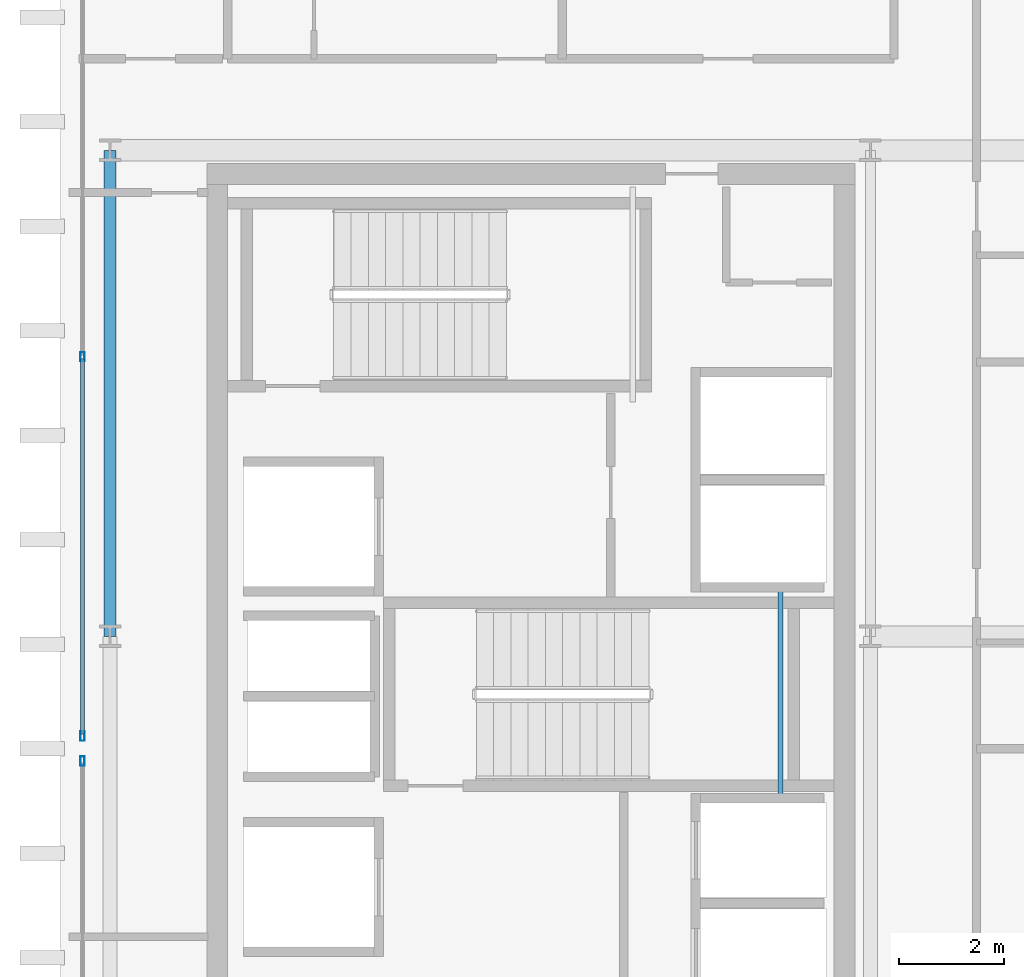
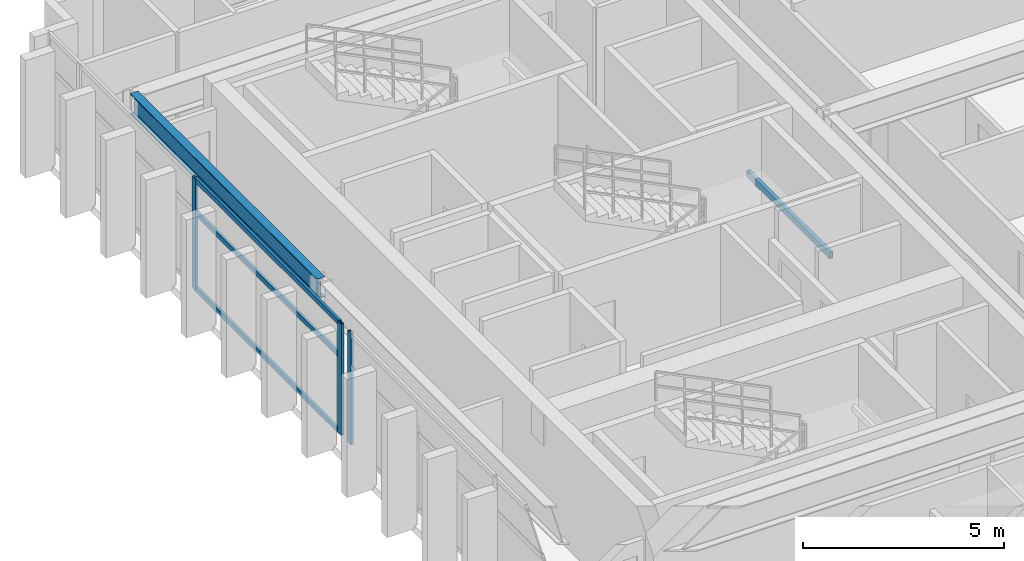
# One storey, part 6 of 15: 6 members, 2 beams, 2 elements without a shape of their own.
"""IFC4 building model written with IfcOpenShell, lengths in metres."""

from ifc_helpers import new_model, si_unit, direction, frame, origin, origin_2d, place, context, subcontext, project, spatial, hollow_rectangle, i_section, extrude, source, transform, mapped, material, layer, layer_set, material_profile, profile_set, type_object, element, aggregate, save


model = new_model("IFC4")

# Units and contexts
model_context = context("Model", 3, precision=1e-05, world=origin(), true_north=direction((0.0, 1.0)))
body_context = subcontext(model_context, "Body", "Model", "MODEL_VIEW")
ifc_project = project(units=[si_unit("LENGTHUNIT", "METRE"), si_unit("AREAUNIT", "SQUARE_METRE"), si_unit("VOLUMEUNIT", "CUBIC_METRE"), si_unit("PLANEANGLEUNIT", "RADIAN"), si_unit("MASSUNIT", "GRAM", prefix="KILO")], contexts=[model_context])

# Site, building, storey
site_placement = place(None, origin())
site = spatial("IfcSite", under=ifc_project, at=site_placement, CompositionType="ELEMENT")
building_placement = place(site_placement, origin())
building = spatial("IfcBuilding", under=site, at=building_placement, Name="Ocotamira Hotel", CompositionType="ELEMENT")
storey_placement = place(building_placement, frame((0.0, 0.0, 283.199951171875)))
storey = spatial("IfcBuildingStorey", under=building, at=storey_placement, Name="L72", CompositionType="ELEMENT", Elevation=283.199951171875)

# Beams
ifc_material_1 = material(Name="Steel ASTM A500 Grade C", Category="steel")
ifc_material_profile_1 = material_profile(ifc_material_1, hollow_rectangle(XDim=0.10009765625, YDim=0.199951171875, WallThickness=0.008056640625, at=origin_2d()), Name="HSS200X100X8")
ifc_profile_set_1 = profile_set([ifc_material_profile_1], Name="Steel ASTM A500 Grade C")
beam_type_1 = type_object("IfcBeamType", Name="BM-STLDG-HSS200", PredefinedType="BEAM", material=ifc_profile_set_1)
shared_shape_1 = source(origin(), body_context, "Body", "SweptSolid", [
    extrude(hollow_rectangle(XDim=0.10009765625, YDim=0.199951171875, WallThickness=0.008056640625, at=origin_2d()), origin(), (0.0, 0.0, 1.0), 4.1201171875),
])
beam_1_placement = place(storey_placement, frame((21.780029296875, 24.97998046875, 1.5), z_axis=(0.0, 1.0, 0.0), x_axis=(-1.0, 0.0, 0.0)))
element("IfcBeam", 1, at=beam_1_placement, inside=storey, type_object=beam_type_1, Name="L72 Stair ST-3 Landing Bearer 1", PredefinedType="BEAM", context=body_context, shape_type="MappedRepresentation", body=[
    mapped(shared_shape_1, transform((0.0, 0.0, 0.0), scale=1.0)),
])
ifc_material_2 = material(Name="Steel ASTM A992 Grade 50", Category="steel")
ifc_material_profile_2 = material_profile(ifc_material_2, i_section(OverallWidth=0.22998046875, OverallDepth=0.616943359375, WebThickness=0.01318359375, FlangeThickness=0.022216796875, FilletRadius=0.012939453125, at=origin_2d()), Name="W24X94")
ifc_profile_set_2 = profile_set([ifc_material_profile_2], Name="Steel ASTM A992 Grade 50")
beam_type_2 = type_object("IfcBeamType", Name="BM-PRIM-W24X94", PredefinedType="BEAM", material=ifc_profile_set_2)
shared_shape_2 = source(origin(), body_context, "Body", "SweptSolid", [
    extrude(i_section(OverallWidth=0.22998046875, OverallDepth=0.616943359375, WebThickness=0.01318359375, FlangeThickness=0.022216796875, FilletRadius=0.012939453125, at=origin_2d()), origin(), (0.0, 0.0, 1.0), 9.300048828125),
])
beam_2_placement = place(storey_placement, frame((8.949951171875, 28.14990234375, 3.071533203125), z_axis=(0.0, 1.0, 0.0), x_axis=(-1.0, 0.0, 0.0)))
element("IfcBeam", 2, at=beam_2_placement, inside=storey, type_object=beam_type_2, Name="L72 Beam X8.95 Y28.15-37.45", PredefinedType="BEAM", context=body_context, shape_type="MappedRepresentation", body=[
    mapped(shared_shape_2, transform((0.0, 0.0, 0.0), scale=1.0)),
])

# Curtain wall, member
ifc_material_3 = material(Name="Anodised pale-metal aluminium and solar glass", Category="aluminium")
ifc_layer = layer(ifc_material_3, 0.2099609375)
ifc_layer_set = layer_set([ifc_layer], Name="Anodised pale-metal aluminium and solar glass")
curtain_wall_type = type_object("IfcCurtainWallType", Name="CW-SYS7-PEAK", PredefinedType="NOTDEFINED", material=ifc_layer_set)
curtain_wall_1_placement = place(storey_placement, origin())
curtain_wall_1 = element("IfcCurtainWall", 3, at=curtain_wall_1_placement, inside=storey, type_object=curtain_wall_type, Name="L72 Curtain Wall CW-7 CW-L72-W1", PredefinedType="NOTDEFINED")
ifc_material_4 = material(Name="Anodised pale-metal aluminium 6063-T6", Category="aluminium")
ifc_material_profile_3 = material_profile(ifc_material_4, hollow_rectangle(XDim=0.080078125, YDim=0.179931640625, WallThickness=0.006103515625, at=origin_2d()), Name="HSS180X80X6")
ifc_profile_set_3 = profile_set([ifc_material_profile_3], Name="Anodised pale-metal aluminium 6063-T6")
member_type_1 = type_object("IfcMemberType", Name="CWM-180X75", PredefinedType="MULLION", material=ifc_profile_set_3)
shared_shape_3 = source(origin(), body_context, "Body", "SweptSolid", [
    extrude(hollow_rectangle(XDim=0.080078125, YDim=0.179931640625, WallThickness=0.006103515625, at=origin_2d()), origin(), (0.0, 0.0, 1.0), 3.380126953125),
])
member_1_placement = place(storey_placement, frame((8.419921875, 25.760009765625, 0.0), z_axis=(0.0, 0.0, 1.0), x_axis=(-1.0, 0.0, 0.0)))
member_1 = element("IfcMember", 4, at=member_1_placement, type_object=member_type_1, Name="CW-7 mullion 3", PredefinedType="MULLION", context=body_context, shape_type="MappedRepresentation", body=[
    mapped(shared_shape_3, transform((0.0, 0.0, 0.0), scale=1.0)),
])
aggregate(curtain_wall_1, [member_1])

# Curtain wall, members
curtain_wall_2_placement = place(storey_placement, origin())
curtain_wall_2 = element("IfcCurtainWall", 5, at=curtain_wall_2_placement, inside=storey, type_object=curtain_wall_type, Name="L72 Curtain Wall CW-7 CW-L72-W2", PredefinedType="NOTDEFINED")
member_2_placement = place(storey_placement, frame((8.419921875, 26.239990234375, 0.0), z_axis=(0.0, 0.0, 1.0), x_axis=(-1.0, 0.0, 0.0)))
member_2 = element("IfcMember", 6, at=member_2_placement, type_object=member_type_1, Name="CW-7 mullion 1", PredefinedType="MULLION", context=body_context, shape_type="MappedRepresentation", body=[
    mapped(shared_shape_3, transform((0.0, 0.0, 0.0), scale=1.0)),
])
member_3_placement = place(storey_placement, frame((8.419921875, 33.5, 0.0), z_axis=(0.0, 0.0, 1.0), x_axis=(-1.0, 0.0, 0.0)))
member_3 = element("IfcMember", 7, at=member_3_placement, type_object=member_type_1, Name="CW-7 mullion 2", PredefinedType="MULLION", context=body_context, shape_type="MappedRepresentation", body=[
    mapped(shared_shape_3, transform((0.0, 0.0, 0.0), scale=1.0)),
])
ifc_material_profile_4 = material_profile(ifc_material_4, hollow_rectangle(XDim=0.074951171875, YDim=0.14990234375, WallThickness=0.006103515625, at=origin_2d()), Name="HSS150X75X6")
ifc_profile_set_4 = profile_set([ifc_material_profile_4], Name="Anodised pale-metal aluminium 6063-T6")
member_type_2 = type_object("IfcMemberType", Name="CWT-150X75", PredefinedType="USERDEFINED", material=ifc_profile_set_4)
shared_shape_4 = source(origin(), body_context, "Body", "SweptSolid", [
    extrude(hollow_rectangle(XDim=0.074951171875, YDim=0.14990234375, WallThickness=0.006103515625, at=origin_2d()), origin(), (0.0, 0.0, 1.0), 7.179931640625),
])
member_4_placement = place(storey_placement, frame((8.419921875, 26.280029296875, 0.03759765625), z_axis=(0.0, 1.0, 0.0), x_axis=(-1.0, 0.0, 0.0)))
member_4 = element("IfcMember", 8, at=member_4_placement, type_object=member_type_2, Name="CW-7 transom 1.1", ObjectType="TRANSOM", PredefinedType="USERDEFINED", context=body_context, shape_type="MappedRepresentation", body=[
    mapped(shared_shape_4, transform((0.0, 0.0, 0.0), scale=1.0)),
])
member_5_placement = place(storey_placement, frame((8.419921875, 26.280029296875, 2.35009765625), z_axis=(0.0, 1.0, 0.0), x_axis=(-1.0, 0.0, 0.0)))
member_5 = element("IfcMember", 9, at=member_5_placement, type_object=member_type_2, Name="CW-7 transom 1.2", ObjectType="TRANSOM", PredefinedType="USERDEFINED", context=body_context, shape_type="MappedRepresentation", body=[
    mapped(shared_shape_4, transform((0.0, 0.0, 0.0), scale=1.0)),
])
member_6_placement = place(storey_placement, frame((8.419921875, 26.280029296875, 3.342529296875), z_axis=(0.0, 1.0, 0.0), x_axis=(-1.0, 0.0, 0.0)))
member_6 = element("IfcMember", 10, at=member_6_placement, type_object=member_type_2, Name="CW-7 transom 1.3", ObjectType="TRANSOM", PredefinedType="USERDEFINED", context=body_context, shape_type="MappedRepresentation", body=[
    mapped(shared_shape_4, transform((0.0, 0.0, 0.0), scale=1.0)),
])
aggregate(curtain_wall_2, [member_2, member_3, member_4, member_5, member_6])

save(model, "model.ifc")
